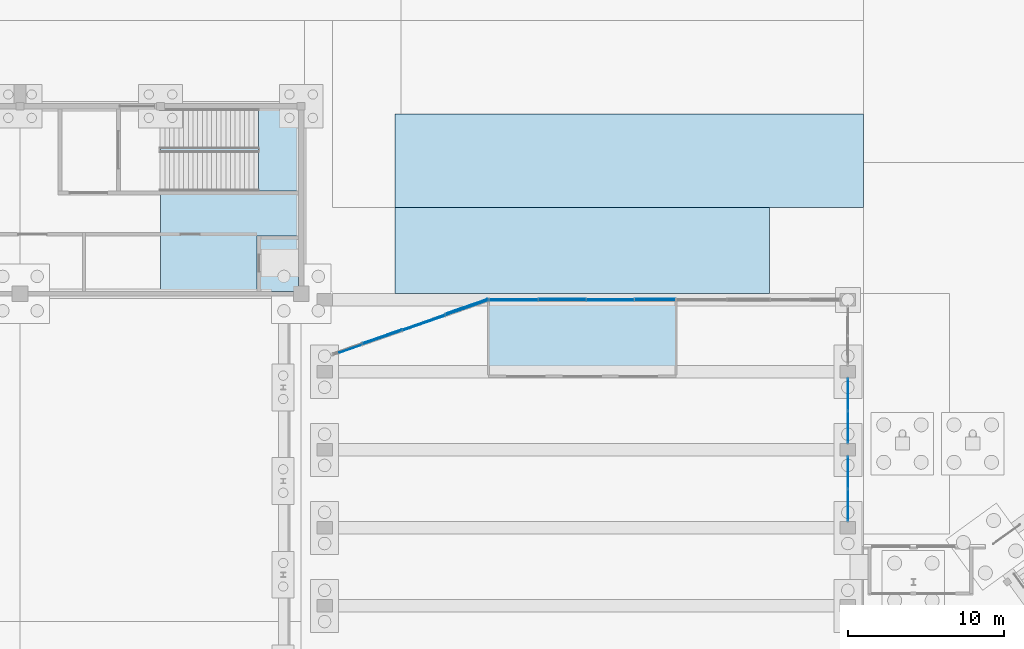
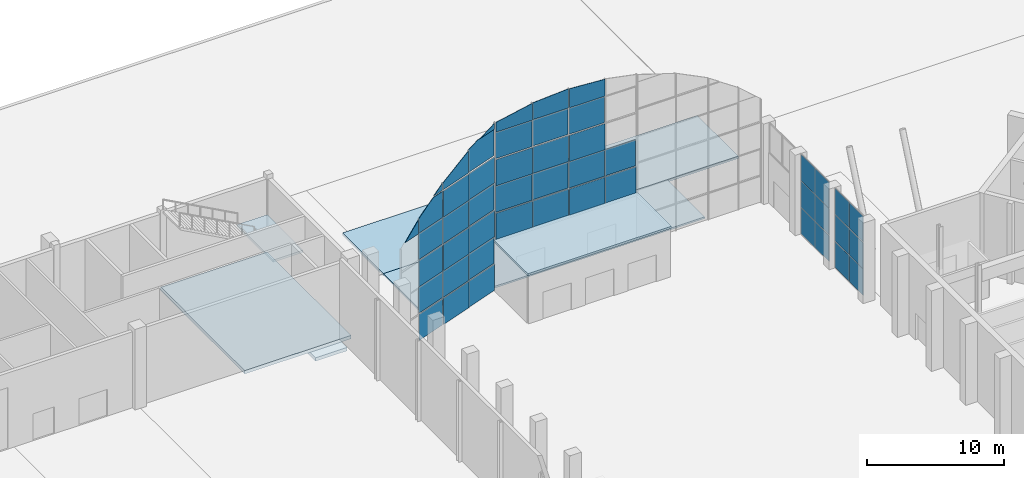
# One storey, part 159 of 239: 49 plates, 6 slabs, 5 elements without a shape of their own.
"""IFC4 building model written with IfcOpenShell, lengths in metres."""

from ifc_helpers import new_model, si_unit, direction, frame, origin, origin_2d, place, context, subcontext, project, spatial, polyline, rectangle, outline, extrude, material, layer, layer_set, type_object, element, aggregate, save


model = new_model("IFC4")

# Units and contexts
model_context = context("Model", 3, precision=1e-05, world=origin(), true_north=direction((0.0, 1.0)))
body_context = subcontext(model_context, "Body", "Model", "MODEL_VIEW")
ifc_project = project(units=[si_unit("LENGTHUNIT", "METRE"), si_unit("AREAUNIT", "SQUARE_METRE"), si_unit("VOLUMEUNIT", "CUBIC_METRE"), si_unit("PLANEANGLEUNIT", "RADIAN"), si_unit("MASSUNIT", "GRAM", prefix="KILO")], contexts=[model_context])

# Site, building, storey
site_placement = place(None, origin())
site = spatial("IfcSite", under=ifc_project, at=site_placement, CompositionType="ELEMENT")
building_placement = place(site_placement, origin())
building = spatial("IfcBuilding", under=site, at=building_placement, Name="Okhra Congress Centre", CompositionType="ELEMENT")
storey_placement = place(building_placement, origin())
storey = spatial("IfcBuildingStorey", under=building, at=storey_placement, Name="L00", CompositionType="ELEMENT", Elevation=0.0)

# Curtain wall, plates
ifc_material_1 = material(Name="Aluminium curtain wall, triple glazing", Category="aluminium")
curtain_wall_type_1 = type_object("IfcCurtainWallType", Name="Curtain wall 2100 module", PredefinedType="NOTDEFINED", material=ifc_material_1)
curtain_wall_1_placement = place(storey_placement, origin())
curtain_wall_1 = element("IfcCurtainWall", 1, at=curtain_wall_1_placement, inside=storey, type_object=curtain_wall_type_1, Name="East bay 7 glazing", PredefinedType="NOTDEFINED")
ifc_material_2 = material(Name="Triple glazing unit, low-e coating, argon fill", Category="glass")
ifc_layer_1 = layer(ifc_material_2, 0.028076171875)
ifc_layer_set_1 = layer_set([ifc_layer_1], Name="Curtain wall glazing unit 28")
plate_type_1 = type_object("IfcPlateType", Name="Curtain wall glazing unit 28", PredefinedType="CURTAIN_PANEL", material=ifc_layer_set_1)
plate_1_placement = place(storey_placement, frame((189.0, 202.465087890625, 0.06005859375), z_axis=(0.0, 0.0, 1.0), x_axis=(0.0, 1.0, 0.0)))
plate_1 = element("IfcPlate", 2, at=plate_1_placement, type_object=plate_type_1, Name="CW4 panel 1.1", PredefinedType="CURTAIN_PANEL", context=body_context, shape_type="SweptSolid", body=[
    extrude(rectangle(XDim=2.010009765625, YDim=0.028076171875, at=origin_2d()), origin(), (0.0, 0.0, 1.0), 2.31005859375),
])
plate_2_placement = place(storey_placement, frame((189.0, 202.465087890625, 2.43017578125), z_axis=(0.0, 0.0, 1.0), x_axis=(0.0, 1.0, 0.0)))
plate_2 = element("IfcPlate", 3, at=plate_2_placement, type_object=plate_type_1, Name="CW4 panel 1.2", PredefinedType="CURTAIN_PANEL", context=body_context, shape_type="SweptSolid", body=[
    extrude(rectangle(XDim=2.010009765625, YDim=0.028076171875, at=origin_2d()), origin(), (0.0, 0.0, 1.0), 2.340087890625),
])
plate_3_placement = place(storey_placement, frame((189.0, 202.465087890625, 4.830078125), z_axis=(0.0, 0.0, 1.0), x_axis=(0.0, 1.0, 0.0)))
plate_3 = element("IfcPlate", 4, at=plate_3_placement, type_object=plate_type_1, Name="CW4 panel 1.3", PredefinedType="CURTAIN_PANEL", context=body_context, shape_type="SweptSolid", body=[
    extrude(rectangle(XDim=2.010009765625, YDim=0.028076171875, at=origin_2d()), origin(), (0.0, 0.0, 1.0), 2.31005859375),
])
plate_4_placement = place(storey_placement, frame((189.0, 204.534912109375, 0.06005859375), z_axis=(0.0, 0.0, 1.0), x_axis=(0.0, 1.0, 0.0)))
plate_4 = element("IfcPlate", 5, at=plate_4_placement, type_object=plate_type_1, Name="CW4 panel 2.1", PredefinedType="CURTAIN_PANEL", context=body_context, shape_type="SweptSolid", body=[
    extrude(rectangle(XDim=2.010009765625, YDim=0.028076171875, at=origin_2d()), origin(), (0.0, 0.0, 1.0), 2.31005859375),
])
plate_5_placement = place(storey_placement, frame((189.0, 204.534912109375, 2.43017578125), z_axis=(0.0, 0.0, 1.0), x_axis=(0.0, 1.0, 0.0)))
plate_5 = element("IfcPlate", 6, at=plate_5_placement, type_object=plate_type_1, Name="CW4 panel 2.2", PredefinedType="CURTAIN_PANEL", context=body_context, shape_type="SweptSolid", body=[
    extrude(rectangle(XDim=2.010009765625, YDim=0.028076171875, at=origin_2d()), origin(), (0.0, 0.0, 1.0), 2.340087890625),
])
plate_6_placement = place(storey_placement, frame((189.0, 204.534912109375, 4.830078125), z_axis=(0.0, 0.0, 1.0), x_axis=(0.0, 1.0, 0.0)))
plate_6 = element("IfcPlate", 7, at=plate_6_placement, type_object=plate_type_1, Name="CW4 panel 2.3", PredefinedType="CURTAIN_PANEL", context=body_context, shape_type="SweptSolid", body=[
    extrude(rectangle(XDim=2.010009765625, YDim=0.028076171875, at=origin_2d()), origin(), (0.0, 0.0, 1.0), 2.31005859375),
])
aggregate(curtain_wall_1, [plate_1, plate_2, plate_3, plate_4, plate_5, plate_6])

curtain_wall_2_placement = place(storey_placement, origin())
curtain_wall_2 = element("IfcCurtainWall", 8, at=curtain_wall_2_placement, inside=storey, type_object=curtain_wall_type_1, Name="East bay 8 glazing", PredefinedType="NOTDEFINED")
plate_7_placement = place(storey_placement, frame((189.0, 207.465087890625, 0.06005859375), z_axis=(0.0, 0.0, 1.0), x_axis=(0.0, 1.0, 0.0)))
plate_7 = element("IfcPlate", 9, at=plate_7_placement, type_object=plate_type_1, Name="CW4 panel 1.1", PredefinedType="CURTAIN_PANEL", context=body_context, shape_type="SweptSolid", body=[
    extrude(rectangle(XDim=2.010009765625, YDim=0.028076171875, at=origin_2d()), origin(), (0.0, 0.0, 1.0), 2.31005859375),
])
plate_8_placement = place(storey_placement, frame((189.0, 207.465087890625, 2.43017578125), z_axis=(0.0, 0.0, 1.0), x_axis=(0.0, 1.0, 0.0)))
plate_8 = element("IfcPlate", 10, at=plate_8_placement, type_object=plate_type_1, Name="CW4 panel 1.2", PredefinedType="CURTAIN_PANEL", context=body_context, shape_type="SweptSolid", body=[
    extrude(rectangle(XDim=2.010009765625, YDim=0.028076171875, at=origin_2d()), origin(), (0.0, 0.0, 1.0), 2.340087890625),
])
plate_9_placement = place(storey_placement, frame((189.0, 207.465087890625, 4.830078125), z_axis=(0.0, 0.0, 1.0), x_axis=(0.0, 1.0, 0.0)))
plate_9 = element("IfcPlate", 11, at=plate_9_placement, type_object=plate_type_1, Name="CW4 panel 1.3", PredefinedType="CURTAIN_PANEL", context=body_context, shape_type="SweptSolid", body=[
    extrude(rectangle(XDim=2.010009765625, YDim=0.028076171875, at=origin_2d()), origin(), (0.0, 0.0, 1.0), 2.31005859375),
])
plate_10_placement = place(storey_placement, frame((189.0, 209.534912109375, 0.06005859375), z_axis=(0.0, 0.0, 1.0), x_axis=(0.0, 1.0, 0.0)))
plate_10 = element("IfcPlate", 12, at=plate_10_placement, type_object=plate_type_1, Name="CW4 panel 2.1", PredefinedType="CURTAIN_PANEL", context=body_context, shape_type="SweptSolid", body=[
    extrude(rectangle(XDim=2.010009765625, YDim=0.028076171875, at=origin_2d()), origin(), (0.0, 0.0, 1.0), 2.31005859375),
])
plate_11_placement = place(storey_placement, frame((189.0, 209.534912109375, 2.43017578125), z_axis=(0.0, 0.0, 1.0), x_axis=(0.0, 1.0, 0.0)))
plate_11 = element("IfcPlate", 13, at=plate_11_placement, type_object=plate_type_1, Name="CW4 panel 2.2", PredefinedType="CURTAIN_PANEL", context=body_context, shape_type="SweptSolid", body=[
    extrude(rectangle(XDim=2.010009765625, YDim=0.028076171875, at=origin_2d()), origin(), (0.0, 0.0, 1.0), 2.340087890625),
])
plate_12_placement = place(storey_placement, frame((189.0, 209.534912109375, 4.830078125), z_axis=(0.0, 0.0, 1.0), x_axis=(0.0, 1.0, 0.0)))
plate_12 = element("IfcPlate", 14, at=plate_12_placement, type_object=plate_type_1, Name="CW4 panel 2.3", PredefinedType="CURTAIN_PANEL", context=body_context, shape_type="SweptSolid", body=[
    extrude(rectangle(XDim=2.010009765625, YDim=0.028076171875, at=origin_2d()), origin(), (0.0, 0.0, 1.0), 2.31005859375),
])
aggregate(curtain_wall_2, [plate_7, plate_8, plate_9, plate_10, plate_11, plate_12])

# Slabs
ifc_material_3 = material(Name="Concrete C30/37", Category="concrete")
ifc_layer_2 = layer(ifc_material_3, 0.14990234375)
ifc_layer_set_2 = layer_set([ifc_layer_2], Name="Paving slab 150 C30/37")
slab_type_1 = type_object("IfcSlabType", Name="Paving slab 150 C30/37", PredefinedType="BASESLAB", material=ifc_layer_set_2)
slab_1_placement = place(storey_placement, frame((0.0, 0.0, -0.14990234375)))
element("IfcSlab", 15, at=slab_1_placement, inside=storey, type_object=slab_type_1, Name="Winter Garden North Walk paving", PredefinedType="BASESLAB", context=body_context, shape_type="SweptSolid", body=[
    extrude(outline(polyline([(184.0, 221.5), (160.0, 221.5), (160.0, 216.010009765625), (184.0, 216.010009765625), (184.0, 221.5)])), origin(), (0.0, 0.0, 1.0), 0.14990234375),
])
ifc_layer_3 = layer(ifc_material_3, 0.219970703125)
ifc_layer_set_3 = layer_set([ifc_layer_3], Name="RC fire appliance lane slab 220 C30/37")
slab_type_2 = type_object("IfcSlabType", Name="RC fire appliance lane slab 220 C30/37", PredefinedType="BASESLAB", material=ifc_layer_set_3)
slab_2_placement = place(storey_placement, frame((0.0, 0.0, -0.219970703125)))
element("IfcSlab", 16, at=slab_2_placement, inside=storey, type_object=slab_type_2, Name="Winter Garden North Parking Aisle and Fire Lane paving", PredefinedType="BASESLAB", context=body_context, shape_type="SweptSolid", body=[
    extrude(outline(polyline([(190.0, 227.5), (160.0, 227.5), (160.0, 221.5), (190.0, 221.5), (190.0, 227.5)])), origin(), (0.0, 0.0, 1.0), 0.219970703125),
])
ifc_material_4 = material(Name="Concrete C25/30", Category="concrete")
ifc_layer_4 = layer(ifc_material_4, 0.300048828125)
ifc_layer_set_4 = layer_set([ifc_layer_4], Name="RC ground slab 300 C25/30")
slab_type_3 = type_object("IfcSlabType", Name="RC ground slab 300 C25/30", PredefinedType="BASESLAB", material=ifc_layer_set_4)
slab_3_placement = place(storey_placement, frame((0.0, 0.0, -0.300048828125)))
element("IfcSlab", 17, at=slab_3_placement, inside=storey, type_object=slab_type_3, Name="EH.SLAB.L00.K14", PredefinedType="BASESLAB", context=body_context, shape_type="SweptSolid", body=[
    extrude(outline(polyline([(145.0, 215.85009765625), (154.0, 215.85009765625), (154.0, 228.175048828125), (145.0, 228.175048828125), (145.0, 215.85009765625)])), origin(), (0.0, 0.0, 1.0), 0.300048828125),
])
ifc_layer_5 = layer(ifc_material_4, 0.300048828125)
ifc_layer_set_5 = layer_set([ifc_layer_5], Name="RC lift pit slab 300 C25/30")
slab_type_4 = type_object("IfcSlabType", Name="RC lift pit slab 300 C25/30", PredefinedType="BASESLAB", material=ifc_layer_set_5)
slab_4_placement = place(storey_placement, frame((0.0, 0.0, -1.5)))
element("IfcSlab", 18, at=slab_4_placement, inside=storey, type_object=slab_type_4, Name="EH.SLAB.L00.PIT", PredefinedType="BASESLAB", context=body_context, shape_type="SweptSolid", body=[
    extrude(outline(polyline([(151.175048828125, 216.14990234375), (153.824951171875, 216.14990234375), (153.824951171875, 219.699951171875), (151.175048828125, 219.699951171875), (151.175048828125, 216.14990234375)])), origin(), (0.0, 0.0, 1.0), 0.300048828125),
])
ifc_layer_6 = layer(ifc_material_3, 0.199951171875)
ifc_layer_set_6 = layer_set([ifc_layer_6], Name="RC roof slab 200 C30/37")
slab_type_5 = type_object("IfcSlabType", Name="RC roof slab 200 C30/37", PredefinedType="ROOF", material=ifc_layer_set_6)
slab_5_placement = place(storey_placement, frame((0.0, 0.0, 4.300048828125)))
element("IfcSlab", 19, at=slab_5_placement, inside=storey, type_object=slab_type_5, Name="North entrance roof slab", PredefinedType="ROOF", context=body_context, shape_type="SweptSolid", body=[
    extrude(outline(polyline([(165.925048828125, 210.625), (178.074951171875, 210.625), (178.074951171875, 215.675048828125), (165.925048828125, 215.675048828125), (165.925048828125, 210.625)])), origin(), (0.0, 0.0, 1.0), 0.199951171875),
])

# Stair, slab
stair_type = type_object("IfcStairType", Name="Escape stair 2550 wide, 44 risers of 163.6", PredefinedType="HALF_TURN_STAIR", material=ifc_material_3)
stair_placement = place(storey_placement, origin())
stair = element("IfcStair", 20, at=stair_placement, inside=storey, type_object=stair_type, Name="L00 Escape Stair 3", PredefinedType="HALF_TURN_STAIR")
ifc_layer_7 = layer(ifc_material_3, 0.199951171875)
ifc_layer_set_7 = layer_set([ifc_layer_7], Name="RC stair landing 200 C30/37")
slab_type_6 = type_object("IfcSlabType", Name="RC stair landing 200 C30/37", PredefinedType="LANDING", material=ifc_layer_set_7)
slab_6_placement = place(storey_placement, frame((0.0, 0.0, 3.39990234375)))
slab_6 = element("IfcSlab", 21, at=slab_6_placement, type_object=slab_type_6, Name="ES3 landing 1", PredefinedType="LANDING", context=body_context, shape_type="SweptSolid", body=[
    extrude(outline(polyline([(151.27490234375, 222.574951171875), (153.824951171875, 222.574951171875), (153.824951171875, 227.824951171875), (151.27490234375, 227.824951171875), (151.27490234375, 222.574951171875)])), origin(), (0.0, 0.0, 1.0), 0.2001953125),
])
aggregate(stair, [slab_6])

# Curtain wall, plates
ifc_material_5 = material(Name="Aluminium frame with triple glazing", Category="aluminium")
curtain_wall_type_2 = type_object("IfcCurtainWallType", Name="Glazed gable curtain wall", PredefinedType="NOTDEFINED", material=ifc_material_5)
curtain_wall_3_placement = place(storey_placement, origin())
curtain_wall_3 = element("IfcCurtainWall", 22, at=curtain_wall_3_placement, inside=storey, type_object=curtain_wall_type_2, Name="North gable glazing west", PredefinedType="NOTDEFINED")
ifc_material_6 = material(Name="Toughened triple glazed unit")
ifc_layer_8 = layer(ifc_material_6, 0.028076171875)
ifc_layer_set_8 = layer_set([ifc_layer_8], Name="Triple glazed unit 28 mm")
plate_type_2 = type_object("IfcPlateType", Name="Triple glazed unit 28 mm", PredefinedType="CURTAIN_PANEL", material=ifc_layer_set_8)
plate_13_placement = place(storey_placement, frame((157.89111328125, 212.73388671875, 9.6298828125), z_axis=(-0.330378985883, 0.943848359477, 0.0), x_axis=(-0.943848359477, -0.330378985883, 0.0)))
plate_13 = element("IfcPlate", 23, at=plate_13_placement, type_object=plate_type_2, Name="North gable glazing west glass panel 1.5", PredefinedType="CURTAIN_PANEL", context=body_context, shape_type="SweptSolid", body=[
    extrude(outline(polyline([(0.0, 0.0), (1.5230200758066086, 0.0), (0.0, 1.275390625), (0.0, 0.0)])), origin(), (0.0, 0.0, -1.0), 0.028076171875),
])
plate_14_placement = place(storey_placement, frame((160.44580078125, 213.656005859375, 0.030029296875), z_axis=(-0.330296938946, 0.943877074689, 0.0), x_axis=(-0.943877074689, -0.330296938946, 0.0)))
plate_14 = element("IfcPlate", 24, at=plate_14_placement, type_object=plate_type_2, Name="North gable glazing west glass panel 2.1", PredefinedType="CURTAIN_PANEL", context=body_context, shape_type="SweptSolid", body=[
    extrude(outline(polyline([(0.0, 0.0), (2.6432181835729365, 0.0), (2.6432181835729365, 2.3400878906250004), (0.0, 2.3400878906250004), (0.0, 0.0)])), origin(), (0.0, 0.0, -1.0), 0.028076171875),
])
plate_15_placement = place(storey_placement, frame((160.44580078125, 213.712158203125, 2.429931640625), z_axis=(-0.330379223447, 0.943848276321, 0.0), x_axis=(-0.943848276321, -0.330379223447, 0.0)))
plate_15 = element("IfcPlate", 25, at=plate_15_placement, type_object=plate_type_2, Name="North gable glazing west glass panel 2.2", PredefinedType="CURTAIN_PANEL", context=body_context, shape_type="SweptSolid", body=[
    extrude(outline(polyline([(0.0, 0.0), (2.643298832518694, 0.0), (2.643298832518694, 2.3400878906250004), (0.0, 2.3400878906250004), (0.0, 0.0)])), origin(), (0.0, 0.0, -1.0), 0.028076171875),
])
plate_16_placement = place(storey_placement, frame((160.44580078125, 213.656005859375, 4.830078125), z_axis=(-0.330296938946, 0.943877074689, 0.0), x_axis=(-0.943877074689, -0.330296938946, 0.0)))
plate_16 = element("IfcPlate", 26, at=plate_16_placement, type_object=plate_type_2, Name="North gable glazing west glass panel 2.3", PredefinedType="CURTAIN_PANEL", context=body_context, shape_type="SweptSolid", body=[
    extrude(outline(polyline([(0.0, 0.0), (2.6432181835729365, 0.0), (2.6432181835729365, 2.33984375), (0.0, 2.33984375), (0.0, 0.0)])), origin(), (0.0, 0.0, -1.0), 0.028076171875),
])
plate_17_placement = place(storey_placement, frame((160.44580078125, 213.712158203125, 7.22998046875), z_axis=(-0.330379223447, 0.943848276321, 0.0), x_axis=(-0.943848276321, -0.330379223447, 0.0)))
plate_17 = element("IfcPlate", 27, at=plate_17_placement, type_object=plate_type_2, Name="North gable glazing west glass panel 2.4", PredefinedType="CURTAIN_PANEL", context=body_context, shape_type="SweptSolid", body=[
    extrude(outline(polyline([(0.0, 0.0), (2.643298832518694, 0.0), (2.643298832518694, 2.3400878906250004), (0.0, 2.3400878906250004), (0.0, 0.0)])), origin(), (0.0, 0.0, -1.0), 0.028076171875),
])
plate_18_placement = place(storey_placement, frame((160.44580078125, 213.656005859375, 9.6298828125), z_axis=(-0.330301207238, 0.943875580974, 1.1743631e-05), x_axis=(-0.943875581039, -0.330301207261, -5.3e-11)))
plate_18 = element("IfcPlate", 28, at=plate_18_placement, type_object=plate_type_2, Name="North gable glazing west glass panel 2.5", PredefinedType="CURTAIN_PANEL", context=body_context, shape_type="SweptSolid", body=[
    extrude(outline(polyline([(0.0, 0.0), (2.6432181835459096, -1.6940658945086007e-21), (2.6432181834756894, 1.3222656249088214), (1.0457678666763752, 2.3400878910242584), (-1.2427275677676617e-10, 2.340087890463636), (0.0, 0.0)])), origin(), (0.0, 0.0, -1.0), 0.028076171875),
])
plate_19_placement = place(storey_placement, frame((160.44580078125, 213.712158203125, 12.030029296875), z_axis=(-0.330430415411, 0.943830355822, 0.0), x_axis=(-0.943830355822, -0.330430415411, 0.0)))
plate_19 = element("IfcPlate", 29, at=plate_19_placement, type_object=plate_type_2, Name="North gable glazing west glass panel 2.6", PredefinedType="CURTAIN_PANEL", context=body_context, shape_type="SweptSolid", body=[
    extrude(outline(polyline([(0.0, 0.0), (0.9516470346970107, 0.0), (0.0, 0.6064453125), (0.0, 0.0)])), origin(), (0.0, 0.0, -1.0), 0.028076171875),
])
plate_20_placement = place(storey_placement, frame((163.20556640625, 214.593994140625, 0.030029296875), z_axis=(-0.330327612345, 0.943866340391, 0.0), x_axis=(-0.943866340391, -0.330327612345, 0.0)))
plate_20 = element("IfcPlate", 30, at=plate_20_placement, type_object=plate_type_2, Name="North gable glazing west glass panel 3.1", PredefinedType="CURTAIN_PANEL", context=body_context, shape_type="SweptSolid", body=[
    extrude(outline(polyline([(0.0, 0.0), (2.86026412397828, 0.0), (2.86026412397828, 2.340087890625), (0.0, 2.340087890625), (0.0, 0.0)])), origin(), (0.0, 0.0, -1.0), 0.028076171875),
])
plate_21_placement = place(storey_placement, frame((163.20556640625, 214.64990234375, 2.429931640625), z_axis=(-0.330327612345, 0.943866340391, 0.0), x_axis=(-0.943866340391, -0.330327612345, 0.0)))
plate_21 = element("IfcPlate", 31, at=plate_21_placement, type_object=plate_type_2, Name="North gable glazing west glass panel 3.2", PredefinedType="CURTAIN_PANEL", context=body_context, shape_type="SweptSolid", body=[
    extrude(outline(polyline([(0.0, 0.0), (2.86026412397828, 0.0), (2.86026412397828, 2.340087890625), (0.0, 2.340087890625), (0.0, 0.0)])), origin(), (0.0, 0.0, -1.0), 0.028076171875),
])
plate_22_placement = place(storey_placement, frame((163.20556640625, 214.593994140625, 4.830078125), z_axis=(-0.330327612345, 0.943866340391, 0.0), x_axis=(-0.943866340391, -0.330327612345, 0.0)))
plate_22 = element("IfcPlate", 32, at=plate_22_placement, type_object=plate_type_2, Name="North gable glazing west glass panel 3.3", PredefinedType="CURTAIN_PANEL", context=body_context, shape_type="SweptSolid", body=[
    extrude(outline(polyline([(0.0, 0.0), (2.86026412397828, 0.0), (2.86026412397828, 2.33984375), (0.0, 2.33984375), (0.0, 0.0)])), origin(), (0.0, 0.0, -1.0), 0.028076171875),
])
plate_23_placement = place(storey_placement, frame((163.20556640625, 214.64990234375, 7.22998046875), z_axis=(-0.330327612345, 0.943866340391, 0.0), x_axis=(-0.943866340391, -0.330327612345, 0.0)))
plate_23 = element("IfcPlate", 33, at=plate_23_placement, type_object=plate_type_2, Name="North gable glazing west glass panel 3.4", PredefinedType="CURTAIN_PANEL", context=body_context, shape_type="SweptSolid", body=[
    extrude(outline(polyline([(0.0, 0.0), (2.86026412397828, 0.0), (2.86026412397828, 2.340087890625), (0.0, 2.340087890625), (0.0, 0.0)])), origin(), (0.0, 0.0, -1.0), 0.028076171875),
])
plate_24_placement = place(storey_placement, frame((163.20556640625, 214.593994140625, 9.6298828125), z_axis=(-0.330327612345, 0.943866340391, 0.0), x_axis=(-0.943866340391, -0.330327612345, 0.0)))
plate_24 = element("IfcPlate", 34, at=plate_24_placement, type_object=plate_type_2, Name="North gable glazing west glass panel 3.5", PredefinedType="CURTAIN_PANEL", context=body_context, shape_type="SweptSolid", body=[
    extrude(outline(polyline([(0.0, 0.0), (2.86026412397828, 0.0), (2.86026412397828, 2.340087890625), (0.0, 2.340087890625), (0.0, 0.0)])), origin(), (0.0, 0.0, -1.0), 0.028076171875),
])
plate_25_placement = place(storey_placement, frame((163.20556640625, 214.64990234375, 12.030029296875), z_axis=(-0.330327612345, 0.943866340391, 0.0), x_axis=(-0.943866340391, -0.330327612345, 0.0)))
plate_25 = element("IfcPlate", 35, at=plate_25_placement, type_object=plate_type_2, Name="North gable glazing west glass panel 3.6", PredefinedType="CURTAIN_PANEL", context=body_context, shape_type="SweptSolid", body=[
    extrude(outline(polyline([(0.0, 0.0), (2.86026412397828, 0.0), (2.86026412397828, 0.6416015625), (0.0, 1.985107421875), (0.0, 0.0)])), origin(), (0.0, 0.0, -1.0), 0.028076171875),
])
plate_26_placement = place(storey_placement, frame((165.93994140625, 215.5791015625, 0.030029296875), z_axis=(-0.330434859245, 0.943828800046, 0.0), x_axis=(-0.943828800046, -0.330434859245, 0.0)))
plate_26 = element("IfcPlate", 36, at=plate_26_placement, type_object=plate_type_2, Name="North gable glazing west glass panel 4.1", PredefinedType="CURTAIN_PANEL", context=body_context, shape_type="SweptSolid", body=[
    extrude(outline(polyline([(0.0, 0.0), (2.8334761623304083, 0.0), (2.8334761623304083, 2.340087890625), (0.0, 2.340087890625), (0.0, 0.0)])), origin(), (0.0, 0.0, -1.0), 0.028076171875),
])
plate_27_placement = place(storey_placement, frame((165.93994140625, 215.635009765625, 2.429931640625), z_axis=(-0.330358100921, 0.943855669663, 0.0), x_axis=(-0.943855669663, -0.330358100921, 0.0)))
plate_27 = element("IfcPlate", 37, at=plate_27_placement, type_object=plate_type_2, Name="North gable glazing west glass panel 4.2", PredefinedType="CURTAIN_PANEL", context=body_context, shape_type="SweptSolid", body=[
    extrude(outline(polyline([(0.0, 0.0), (2.83339549912713, 0.0), (2.83339549912713, 2.340087890625), (0.0, 2.340087890625), (0.0, 0.0)])), origin(), (0.0, 0.0, -1.0), 0.028076171875),
])
plate_28_placement = place(storey_placement, frame((165.93994140625, 215.5791015625, 4.830078125), z_axis=(-0.330434859245, 0.943828800046, 0.0), x_axis=(-0.943828800046, -0.330434859245, 0.0)))
plate_28 = element("IfcPlate", 38, at=plate_28_placement, type_object=plate_type_2, Name="North gable glazing west glass panel 4.3", PredefinedType="CURTAIN_PANEL", context=body_context, shape_type="SweptSolid", body=[
    extrude(outline(polyline([(0.0, 0.0), (2.8334761623304083, 0.0), (2.8334761623304083, 2.33984375), (0.0, 2.33984375), (0.0, 0.0)])), origin(), (0.0, 0.0, -1.0), 0.028076171875),
])
plate_29_placement = place(storey_placement, frame((165.93994140625, 215.635009765625, 7.22998046875), z_axis=(-0.330358100921, 0.943855669663, 0.0), x_axis=(-0.943855669663, -0.330358100921, 0.0)))
plate_29 = element("IfcPlate", 39, at=plate_29_placement, type_object=plate_type_2, Name="North gable glazing west glass panel 4.4", PredefinedType="CURTAIN_PANEL", context=body_context, shape_type="SweptSolid", body=[
    extrude(outline(polyline([(0.0, 0.0), (2.83339549912713, 0.0), (2.83339549912713, 2.340087890625), (0.0, 2.340087890625), (0.0, 0.0)])), origin(), (0.0, 0.0, -1.0), 0.028076171875),
])
plate_30_placement = place(storey_placement, frame((165.93994140625, 215.5791015625, 9.6298828125), z_axis=(-0.330434859245, 0.943828800046, 0.0), x_axis=(-0.943828800046, -0.330434859245, 0.0)))
plate_30 = element("IfcPlate", 40, at=plate_30_placement, type_object=plate_type_2, Name="North gable glazing west glass panel 4.5", PredefinedType="CURTAIN_PANEL", context=body_context, shape_type="SweptSolid", body=[
    extrude(outline(polyline([(0.0, 0.0), (2.8334761623304083, 0.0), (2.8334761623304083, 2.340087890625), (0.0, 2.340087890625), (0.0, 0.0)])), origin(), (0.0, 0.0, -1.0), 0.028076171875),
])
plate_31_placement = place(storey_placement, frame((165.93994140625, 215.635009765625, 12.030029296875), z_axis=(0.330356636593, -0.943856182096, 1.3336977e-05), x_axis=(-0.94385618218, -0.330356636622, -2.1e-11)))
plate_31 = element("IfcPlate", 41, at=plate_31_placement, type_object=plate_type_2, Name="North gable glazing west glass panel 4.6", PredefinedType="CURTAIN_PANEL", context=body_context, shape_type="SweptSolid", body=[
    extrude(outline(polyline([(0.0, 0.0), (2.8333954991237205, -1.6940658945086007e-21), (2.8333954990821213, -2.0104980466961915), (1.813724300663987, -2.3400878912282663), (-4.8418750315103005e-11, -2.3400878904168785), (0.0, 0.0)])), origin(), (0.0, 0.0, -1.0), 0.028076171875),
])
plate_32_placement = place(storey_placement, frame((165.93994140625, 215.5791015625, 14.429931640625), z_axis=(-0.33049736841, 0.943806913237, 0.0), x_axis=(-0.943806913237, -0.33049736841, 0.0)))
plate_32 = element("IfcPlate", 42, at=plate_32_placement, type_object=plate_type_2, Name="North gable glazing west glass panel 4.7", PredefinedType="CURTAIN_PANEL", context=body_context, shape_type="SweptSolid", body=[
    extrude(outline(polyline([(0.0, 0.0), (1.6281095976293183, 0.0), (0.0, 0.526123046875), (0.0, 0.0)])), origin(), (0.0, 0.0, -1.0), 0.028076171875),
])
aggregate(curtain_wall_3, [plate_13, plate_14, plate_15, plate_16, plate_17, plate_18, plate_19, plate_20, plate_21, plate_22, plate_23, plate_24, plate_25, plate_26, plate_27, plate_28, plate_29, plate_30, plate_31, plate_32])

curtain_wall_4_placement = place(storey_placement, origin())
curtain_wall_4 = element("IfcCurtainWall", 43, at=curtain_wall_4_placement, inside=storey, type_object=curtain_wall_type_2, Name="North gable glazing above the entrance", PredefinedType="NOTDEFINED")
plate_33_placement = place(storey_placement, frame((169.144287109375, 215.572021484375, 4.530029296875), z_axis=(0.0, 1.0, 0.0), x_axis=(-1.0, 0.0, 0.0)))
plate_33 = element("IfcPlate", 44, at=plate_33_placement, type_object=plate_type_2, Name="North gable glazing above the entrance glass panel 1.1", PredefinedType="CURTAIN_PANEL", context=body_context, shape_type="SweptSolid", body=[
    extrude(outline(polyline([(0.0, 0.0), (3.084228515625, 0.0), (3.084228515625, 2.340087890625), (0.0, 2.340087890625), (0.0, 0.0)])), origin(), (0.0, 0.0, -1.0), 0.028076171875),
])
plate_34_placement = place(storey_placement, frame((169.144287109375, 215.6279296875, 6.929931640625), z_axis=(0.0, 1.0, 0.0), x_axis=(-1.0, 0.0, 0.0)))
plate_34 = element("IfcPlate", 45, at=plate_34_placement, type_object=plate_type_2, Name="North gable glazing above the entrance glass panel 1.2", PredefinedType="CURTAIN_PANEL", context=body_context, shape_type="SweptSolid", body=[
    extrude(outline(polyline([(0.0, 0.0), (3.084228515625, 0.0), (3.084228515625, 2.340087890625), (0.0, 2.340087890625), (0.0, 0.0)])), origin(), (0.0, 0.0, -1.0), 0.028076171875),
])
plate_35_placement = place(storey_placement, frame((169.144287109375, 215.572021484375, 9.330078125), z_axis=(0.0, 1.0, 0.0), x_axis=(-1.0, 0.0, 0.0)))
plate_35 = element("IfcPlate", 46, at=plate_35_placement, type_object=plate_type_2, Name="North gable glazing above the entrance glass panel 1.3", PredefinedType="CURTAIN_PANEL", context=body_context, shape_type="SweptSolid", body=[
    extrude(outline(polyline([(0.0, 0.0), (3.084228515625, 0.0), (3.084228515625, 2.33984375), (0.0, 2.33984375), (0.0, 0.0)])), origin(), (0.0, 0.0, -1.0), 0.028076171875),
])
plate_36_placement = place(storey_placement, frame((169.144287109375, 215.6279296875, 11.72998046875), z_axis=(0.0, 1.0, 0.0), x_axis=(-1.0, 0.0, 0.0)))
plate_36 = element("IfcPlate", 47, at=plate_36_placement, type_object=plate_type_2, Name="North gable glazing above the entrance glass panel 1.4", PredefinedType="CURTAIN_PANEL", context=body_context, shape_type="SweptSolid", body=[
    extrude(outline(polyline([(0.0, 0.0), (3.084228515625, 0.0), (3.084228515625, 2.340087890625), (0.0, 2.340087890625), (0.0, 0.0)])), origin(), (0.0, 0.0, -1.0), 0.028076171875),
])
plate_37_placement = place(storey_placement, frame((169.144287109375, 215.572021484375, 14.1298828125), z_axis=(0.0, 1.0, 0.0), x_axis=(-1.0, 0.0, 0.0)))
plate_37 = element("IfcPlate", 48, at=plate_37_placement, type_object=plate_type_2, Name="North gable glazing above the entrance glass panel 1.5", PredefinedType="CURTAIN_PANEL", context=body_context, shape_type="SweptSolid", body=[
    extrude(outline(polyline([(0.0, 0.0), (3.084228515625, 0.0), (3.084228515625, 0.867431640625), (0.0, 1.4990234375), (0.0, 0.0)])), origin(), (0.0, 0.0, -1.0), 0.028076171875),
])
plate_38_placement = place(storey_placement, frame((172.219970703125, 215.60009765625, 4.530029296875), z_axis=(0.0, 1.0, 0.0), x_axis=(-1.0, 0.0, 0.0)))
plate_38 = element("IfcPlate", 49, at=plate_38_placement, type_object=plate_type_2, Name="North gable glazing above the entrance glass panel 2.1", PredefinedType="CURTAIN_PANEL", context=body_context, shape_type="SweptSolid", body=[
    extrude(outline(polyline([(0.0, 0.0), (3.015869140625, 0.0), (3.015869140625, 2.340087890625), (0.0, 2.340087890625), (0.0, 0.0)])), origin(), (0.0, 0.0, -1.0), 0.028076171875),
])
plate_39_placement = place(storey_placement, frame((172.219970703125, 215.656005859375, 6.929931640625), z_axis=(0.0, 1.0, 0.0), x_axis=(-1.0, 0.0, 0.0)))
plate_39 = element("IfcPlate", 50, at=plate_39_placement, type_object=plate_type_2, Name="North gable glazing above the entrance glass panel 2.2", PredefinedType="CURTAIN_PANEL", context=body_context, shape_type="SweptSolid", body=[
    extrude(outline(polyline([(0.0, 0.0), (3.015869140625, 0.0), (3.015869140625, 2.340087890625), (0.0, 2.340087890625), (0.0, 0.0)])), origin(), (0.0, 0.0, -1.0), 0.028076171875),
])
plate_40_placement = place(storey_placement, frame((172.219970703125, 215.60009765625, 9.330078125), z_axis=(0.0, 1.0, 0.0), x_axis=(-1.0, 0.0, 0.0)))
plate_40 = element("IfcPlate", 51, at=plate_40_placement, type_object=plate_type_2, Name="North gable glazing above the entrance glass panel 2.3", PredefinedType="CURTAIN_PANEL", context=body_context, shape_type="SweptSolid", body=[
    extrude(outline(polyline([(0.0, 0.0), (3.015869140625, 0.0), (3.015869140625, 2.33984375), (0.0, 2.33984375), (0.0, 0.0)])), origin(), (0.0, 0.0, -1.0), 0.028076171875),
])
plate_41_placement = place(storey_placement, frame((172.219970703125, 215.656005859375, 11.72998046875), z_axis=(0.0, 1.0, 0.0), x_axis=(-1.0, 0.0, 0.0)))
plate_41 = element("IfcPlate", 52, at=plate_41_placement, type_object=plate_type_2, Name="North gable glazing above the entrance glass panel 2.4", PredefinedType="CURTAIN_PANEL", context=body_context, shape_type="SweptSolid", body=[
    extrude(outline(polyline([(0.0, 0.0), (3.015869140625, 0.0), (3.015869140625, 2.340087890625), (0.0, 2.340087890625), (0.0, 0.0)])), origin(), (0.0, 0.0, -1.0), 0.028076171875),
])
plate_42_placement = place(storey_placement, frame((172.219970703125, 215.60009765625, 14.1298828125), z_axis=(0.0, 1.0, 0.0), x_axis=(-1.0, 0.0, 0.0)))
plate_42 = element("IfcPlate", 53, at=plate_42_placement, type_object=plate_type_2, Name="North gable glazing above the entrance glass panel 2.5", PredefinedType="CURTAIN_PANEL", context=body_context, shape_type="SweptSolid", body=[
    extrude(outline(polyline([(0.0, 0.0), (3.015869140625, 0.0), (3.015869140625, 1.5068359375), (0.0, 1.706298828125), (0.0, 0.0)])), origin(), (0.0, 0.0, -1.0), 0.028076171875),
])
plate_43_placement = place(storey_placement, frame((175.2958984375, 215.572021484375, 4.530029296875), z_axis=(0.0, 1.0, 0.0), x_axis=(-1.0, 0.0, 0.0)))
plate_43 = element("IfcPlate", 54, at=plate_43_placement, type_object=plate_type_2, Name="North gable glazing above the entrance glass panel 3.1", PredefinedType="CURTAIN_PANEL", context=body_context, shape_type="SweptSolid", body=[
    extrude(outline(polyline([(0.0, 0.0), (3.015869140625, 0.0), (3.015869140625, 2.340087890625), (0.0, 2.340087890625), (0.0, 0.0)])), origin(), (0.0, 0.0, -1.0), 0.028076171875),
])
plate_44_placement = place(storey_placement, frame((175.2958984375, 215.6279296875, 6.929931640625), z_axis=(0.0, 1.0, 0.0), x_axis=(-1.0, 0.0, 0.0)))
plate_44 = element("IfcPlate", 55, at=plate_44_placement, type_object=plate_type_2, Name="North gable glazing above the entrance glass panel 3.2", PredefinedType="CURTAIN_PANEL", context=body_context, shape_type="SweptSolid", body=[
    extrude(outline(polyline([(0.0, 0.0), (3.015869140625, 0.0), (3.015869140625, 2.340087890625), (0.0, 2.340087890625), (0.0, 0.0)])), origin(), (0.0, 0.0, -1.0), 0.028076171875),
])
plate_45_placement = place(storey_placement, frame((175.2958984375, 215.572021484375, 9.330078125), z_axis=(0.0, 1.0, 0.0), x_axis=(-1.0, 0.0, 0.0)))
plate_45 = element("IfcPlate", 56, at=plate_45_placement, type_object=plate_type_2, Name="North gable glazing above the entrance glass panel 3.3", PredefinedType="CURTAIN_PANEL", context=body_context, shape_type="SweptSolid", body=[
    extrude(outline(polyline([(0.0, 0.0), (3.015869140625, 0.0), (3.015869140625, 2.33984375), (0.0, 2.33984375), (0.0, 0.0)])), origin(), (0.0, 0.0, -1.0), 0.028076171875),
])
plate_46_placement = place(storey_placement, frame((175.2958984375, 215.6279296875, 11.72998046875), z_axis=(0.0, 1.0, 0.0), x_axis=(-1.0, 0.0, 0.0)))
plate_46 = element("IfcPlate", 57, at=plate_46_placement, type_object=plate_type_2, Name="North gable glazing above the entrance glass panel 3.4", PredefinedType="CURTAIN_PANEL", context=body_context, shape_type="SweptSolid", body=[
    extrude(outline(polyline([(0.0, 0.0), (3.015869140625, 0.0), (3.015869140625, 2.340087890625), (0.0, 2.340087890625), (0.0, 0.0)])), origin(), (0.0, 0.0, -1.0), 0.028076171875),
])
plate_47_placement = place(storey_placement, frame((175.2958984375, 215.572021484375, 14.1298828125), z_axis=(0.0, 1.0, 0.0), x_axis=(-1.0, 0.0, 0.0)))
plate_47 = element("IfcPlate", 58, at=plate_47_placement, type_object=plate_type_2, Name="North gable glazing above the entrance glass panel 3.5", PredefinedType="CURTAIN_PANEL", context=body_context, shape_type="SweptSolid", body=[
    extrude(outline(polyline([(0.0, 0.0), (3.015869140625, 0.0), (3.015869140625, 1.706298828125), (0.0, 1.5068359375), (0.0, 0.0)])), origin(), (0.0, 0.0, -1.0), 0.028076171875),
])
plate_48_placement = place(storey_placement, frame((177.93994140625, 215.60009765625, 4.530029296875), z_axis=(0.0, 1.0, 0.0), x_axis=(-1.0, 0.0, 0.0)))
plate_48 = element("IfcPlate", 59, at=plate_48_placement, type_object=plate_type_2, Name="North gable glazing above the entrance glass panel 4.1", PredefinedType="CURTAIN_PANEL", context=body_context, shape_type="SweptSolid", body=[
    extrude(outline(polyline([(0.0, 0.0), (2.584228515625, 0.0), (2.584228515625, 2.340087890625), (0.0, 2.340087890625), (0.0, 0.0)])), origin(), (0.0, 0.0, -1.0), 0.028076171875),
])
plate_49_placement = place(storey_placement, frame((177.93994140625, 215.656005859375, 6.929931640625), z_axis=(0.0, 1.0, 0.0), x_axis=(-1.0, 0.0, 0.0)))
plate_49 = element("IfcPlate", 60, at=plate_49_placement, type_object=plate_type_2, Name="North gable glazing above the entrance glass panel 4.2", PredefinedType="CURTAIN_PANEL", context=body_context, shape_type="SweptSolid", body=[
    extrude(outline(polyline([(0.0, 0.0), (2.584228515625, 0.0), (2.584228515625, 2.340087890625), (0.0, 2.340087890625), (0.0, 0.0)])), origin(), (0.0, 0.0, -1.0), 0.028076171875),
])
aggregate(curtain_wall_4, [plate_33, plate_34, plate_35, plate_36, plate_37, plate_38, plate_39, plate_40, plate_41, plate_42, plate_43, plate_44, plate_45, plate_46, plate_47, plate_48, plate_49])

save(model, "model.ifc")
